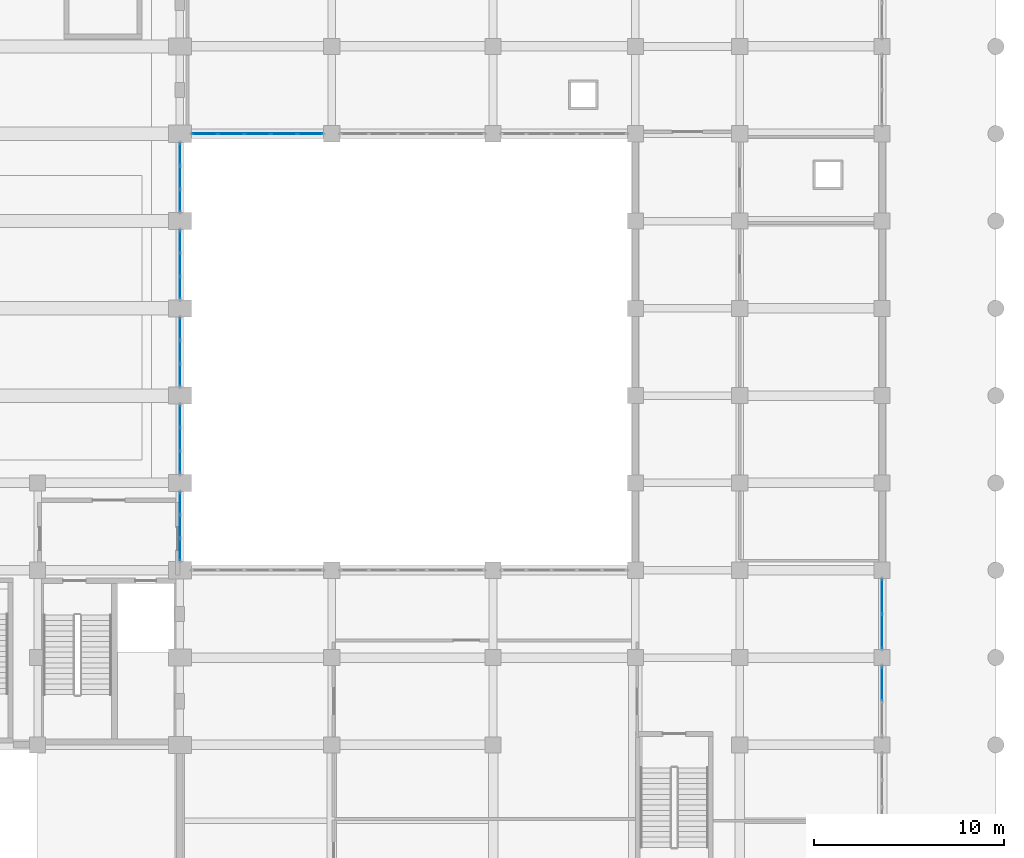
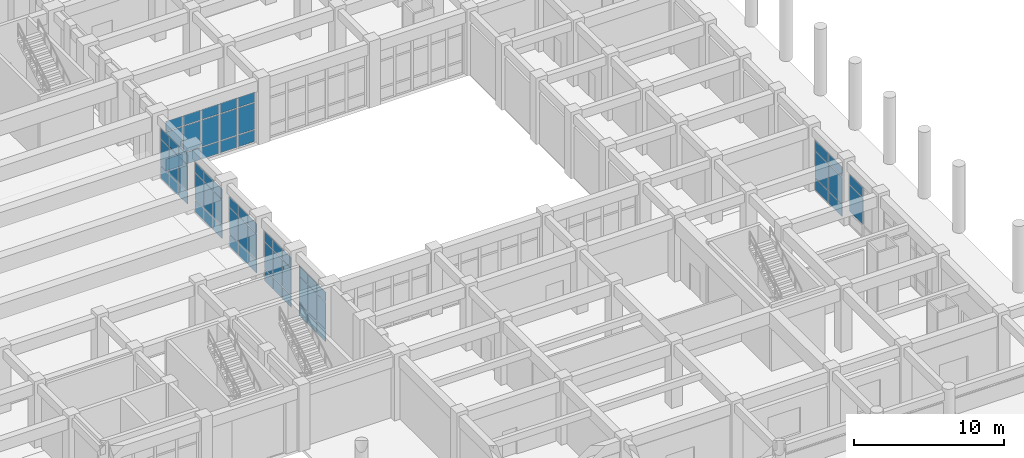
# One storey, part 58 of 84: 68 plates, 8 elements without a shape of their own.
"""IFC4 building model written with IfcOpenShell, lengths in metres."""

from ifc_helpers import new_model, si_unit, direction, frame, origin, origin_2d, place, context, subcontext, project, spatial, rectangle, extrude, material, layer, layer_set, type_object, element, aggregate, save


model = new_model("IFC4")

# Units and contexts
model_context = context("Model", 3, precision=1e-05, world=origin(), true_north=direction((0.0, 1.0)))
body_context = subcontext(model_context, "Body", "Model", "MODEL_VIEW")
ifc_project = project(units=[si_unit("LENGTHUNIT", "METRE"), si_unit("AREAUNIT", "SQUARE_METRE"), si_unit("VOLUMEUNIT", "CUBIC_METRE"), si_unit("PLANEANGLEUNIT", "RADIAN"), si_unit("MASSUNIT", "GRAM", prefix="KILO")], contexts=[model_context])

# Site, building, storey
site_placement = place(None, origin())
site = spatial("IfcSite", under=ifc_project, at=site_placement, CompositionType="ELEMENT")
building_placement = place(site_placement, origin())
building = spatial("IfcBuilding", under=site, at=building_placement, Name="Muzn Square Opera House", CompositionType="ELEMENT")
storey_placement = place(building_placement, origin())
storey = spatial("IfcBuildingStorey", under=building, at=storey_placement, Name="L00", CompositionType="ELEMENT", Elevation=0.0)

# Curtain wall, plates
ifc_material = material(Name="Low-E laminated acoustic double glazing", Category="glass")
ifc_layer_1 = layer(ifc_material, 0.159912109375, Name="Low-E laminated acoustic double glazing", Category="glass")
ifc_layer_set_1 = layer_set([ifc_layer_1], Name="Low-E laminated acoustic double glazing")
curtain_wall_type_1 = type_object("IfcCurtainWallType", Name="Glazed Curtain Wall EastVaultCourt 3700x4150", PredefinedType="USERDEFINED", material=ifc_layer_set_1)
curtain_wall_1_placement = place(storey_placement, origin())
curtain_wall_1 = element("IfcCurtainWall", 1, at=curtain_wall_1_placement, inside=storey, type_object=curtain_wall_type_1, Name="Glazed Curtain Wall CW-L00-030", ObjectType="GLAZED CURTAIN WALL", PredefinedType="USERDEFINED")
ifc_layer_2 = layer(ifc_material, 0.035888671875, Name="Low-E laminated acoustic double glazing", Category="glass")
ifc_layer_set_2 = layer_set([ifc_layer_2], Name="Low-E laminated acoustic double glazing")
plate_type = type_object("IfcPlateType", Name="Curtain Wall Solar Glazed Panel 36mm", PredefinedType="CURTAIN_PANEL", material=ifc_layer_set_2)
plate_1_placement = place(storey_placement, frame((133.0, 32.2841796875, 0.06982421875), z_axis=(0.0, 0.0, 1.0), x_axis=(0.0, 1.0, 0.0)))
plate_1 = element("IfcPlate", 2, at=plate_1_placement, type_object=plate_type, Name="CW-EVC-37x41 panel 1.1", PredefinedType="CURTAIN_PANEL", context=body_context, shape_type="SweptSolid", body=[
    extrude(rectangle(XDim=1.12841796875, YDim=0.035888671875, at=origin_2d()), origin(), (0.0, 0.0, 1.0), 0.945068359375),
])
plate_2_placement = place(storey_placement, frame((133.0, 32.2841796875, 1.0849609375), z_axis=(0.0, 0.0, 1.0), x_axis=(0.0, 1.0, 0.0)))
plate_2 = element("IfcPlate", 3, at=plate_2_placement, type_object=plate_type, Name="CW-EVC-37x41 panel 1.2", PredefinedType="CURTAIN_PANEL", context=body_context, shape_type="SweptSolid", body=[
    extrude(rectangle(XDim=1.12841796875, YDim=0.035888671875, at=origin_2d()), origin(), (0.0, 0.0, 1.0), 2.1298828125),
])
plate_3_placement = place(storey_placement, frame((133.0, 32.2841796875, 3.28515625), z_axis=(0.0, 0.0, 1.0), x_axis=(0.0, 1.0, 0.0)))
plate_3 = element("IfcPlate", 4, at=plate_3_placement, type_object=plate_type, Name="CW-EVC-37x41 panel 1.3", PredefinedType="CURTAIN_PANEL", context=body_context, shape_type="SweptSolid", body=[
    extrude(rectangle(XDim=1.12841796875, YDim=0.035888671875, at=origin_2d()), origin(), (0.0, 0.0, 1.0), 0.794921875),
])
plate_4_placement = place(storey_placement, frame((133.0, 33.5, 0.06982421875), z_axis=(0.0, 0.0, 1.0), x_axis=(0.0, 1.0, 0.0)))
plate_4 = element("IfcPlate", 5, at=plate_4_placement, type_object=plate_type, Name="CW-EVC-37x41 panel 2.1", PredefinedType="CURTAIN_PANEL", context=body_context, shape_type="SweptSolid", body=[
    extrude(rectangle(XDim=1.163330078125, YDim=0.035888671875, at=origin_2d()), origin(), (0.0, 0.0, 1.0), 0.945068359375),
])
plate_5_placement = place(storey_placement, frame((133.0, 33.5, 1.0849609375), z_axis=(0.0, 0.0, 1.0), x_axis=(0.0, 1.0, 0.0)))
plate_5 = element("IfcPlate", 6, at=plate_5_placement, type_object=plate_type, Name="CW-EVC-37x41 panel 2.2", PredefinedType="CURTAIN_PANEL", context=body_context, shape_type="SweptSolid", body=[
    extrude(rectangle(XDim=1.163330078125, YDim=0.035888671875, at=origin_2d()), origin(), (0.0, 0.0, 1.0), 2.1298828125),
])
plate_6_placement = place(storey_placement, frame((133.0, 33.5, 3.28515625), z_axis=(0.0, 0.0, 1.0), x_axis=(0.0, 1.0, 0.0)))
plate_6 = element("IfcPlate", 7, at=plate_6_placement, type_object=plate_type, Name="CW-EVC-37x41 panel 2.3", PredefinedType="CURTAIN_PANEL", context=body_context, shape_type="SweptSolid", body=[
    extrude(rectangle(XDim=1.163330078125, YDim=0.035888671875, at=origin_2d()), origin(), (0.0, 0.0, 1.0), 0.794921875),
])
plate_7_placement = place(storey_placement, frame((133.0, 34.7158203125, 0.06982421875), z_axis=(0.0, 0.0, 1.0), x_axis=(0.0, 1.0, 0.0)))
plate_7 = element("IfcPlate", 8, at=plate_7_placement, type_object=plate_type, Name="CW-EVC-37x41 panel 3.1", PredefinedType="CURTAIN_PANEL", context=body_context, shape_type="SweptSolid", body=[
    extrude(rectangle(XDim=1.12841796875, YDim=0.035888671875, at=origin_2d()), origin(), (0.0, 0.0, 1.0), 0.945068359375),
])
plate_8_placement = place(storey_placement, frame((133.0, 34.7158203125, 1.0849609375), z_axis=(0.0, 0.0, 1.0), x_axis=(0.0, 1.0, 0.0)))
plate_8 = element("IfcPlate", 9, at=plate_8_placement, type_object=plate_type, Name="CW-EVC-37x41 panel 3.2", PredefinedType="CURTAIN_PANEL", context=body_context, shape_type="SweptSolid", body=[
    extrude(rectangle(XDim=1.12841796875, YDim=0.035888671875, at=origin_2d()), origin(), (0.0, 0.0, 1.0), 2.1298828125),
])
plate_9_placement = place(storey_placement, frame((133.0, 34.7158203125, 3.28515625), z_axis=(0.0, 0.0, 1.0), x_axis=(0.0, 1.0, 0.0)))
plate_9 = element("IfcPlate", 10, at=plate_9_placement, type_object=plate_type, Name="CW-EVC-37x41 panel 3.3", PredefinedType="CURTAIN_PANEL", context=body_context, shape_type="SweptSolid", body=[
    extrude(rectangle(XDim=1.12841796875, YDim=0.035888671875, at=origin_2d()), origin(), (0.0, 0.0, 1.0), 0.794921875),
])
aggregate(curtain_wall_1, [plate_1, plate_2, plate_3, plate_4, plate_5, plate_6, plate_7, plate_8, plate_9])

curtain_wall_2_placement = place(storey_placement, origin())
curtain_wall_2 = element("IfcCurtainWall", 11, at=curtain_wall_2_placement, inside=storey, type_object=curtain_wall_type_1, Name="Glazed Curtain Wall CW-L00-032", ObjectType="GLAZED CURTAIN WALL", PredefinedType="USERDEFINED")
plate_10_placement = place(storey_placement, frame((133.0, 36.88427734375, 0.06982421875), z_axis=(0.0, 0.0, 1.0), x_axis=(0.0, 1.0, 0.0)))
plate_10 = element("IfcPlate", 12, at=plate_10_placement, type_object=plate_type, Name="CW-EVC-37x41 panel 1.1", PredefinedType="CURTAIN_PANEL", context=body_context, shape_type="SweptSolid", body=[
    extrude(rectangle(XDim=1.12841796875, YDim=0.035888671875, at=origin_2d()), origin(), (0.0, 0.0, 1.0), 0.945068359375),
])
plate_11_placement = place(storey_placement, frame((133.0, 36.88427734375, 1.0849609375), z_axis=(0.0, 0.0, 1.0), x_axis=(0.0, 1.0, 0.0)))
plate_11 = element("IfcPlate", 13, at=plate_11_placement, type_object=plate_type, Name="CW-EVC-37x41 panel 1.2", PredefinedType="CURTAIN_PANEL", context=body_context, shape_type="SweptSolid", body=[
    extrude(rectangle(XDim=1.12841796875, YDim=0.035888671875, at=origin_2d()), origin(), (0.0, 0.0, 1.0), 2.1298828125),
])
plate_12_placement = place(storey_placement, frame((133.0, 36.88427734375, 3.28515625), z_axis=(0.0, 0.0, 1.0), x_axis=(0.0, 1.0, 0.0)))
plate_12 = element("IfcPlate", 14, at=plate_12_placement, type_object=plate_type, Name="CW-EVC-37x41 panel 1.3", PredefinedType="CURTAIN_PANEL", context=body_context, shape_type="SweptSolid", body=[
    extrude(rectangle(XDim=1.12841796875, YDim=0.035888671875, at=origin_2d()), origin(), (0.0, 0.0, 1.0), 0.794921875),
])
plate_13_placement = place(storey_placement, frame((133.0, 38.10009765625, 0.06982421875), z_axis=(0.0, 0.0, 1.0), x_axis=(0.0, 1.0, 0.0)))
plate_13 = element("IfcPlate", 15, at=plate_13_placement, type_object=plate_type, Name="CW-EVC-37x41 panel 2.1", PredefinedType="CURTAIN_PANEL", context=body_context, shape_type="SweptSolid", body=[
    extrude(rectangle(XDim=1.163330078125, YDim=0.035888671875, at=origin_2d()), origin(), (0.0, 0.0, 1.0), 0.945068359375),
])
plate_14_placement = place(storey_placement, frame((133.0, 38.10009765625, 1.0849609375), z_axis=(0.0, 0.0, 1.0), x_axis=(0.0, 1.0, 0.0)))
plate_14 = element("IfcPlate", 16, at=plate_14_placement, type_object=plate_type, Name="CW-EVC-37x41 panel 2.2", PredefinedType="CURTAIN_PANEL", context=body_context, shape_type="SweptSolid", body=[
    extrude(rectangle(XDim=1.163330078125, YDim=0.035888671875, at=origin_2d()), origin(), (0.0, 0.0, 1.0), 2.1298828125),
])
plate_15_placement = place(storey_placement, frame((133.0, 38.10009765625, 3.28515625), z_axis=(0.0, 0.0, 1.0), x_axis=(0.0, 1.0, 0.0)))
plate_15 = element("IfcPlate", 17, at=plate_15_placement, type_object=plate_type, Name="CW-EVC-37x41 panel 2.3", PredefinedType="CURTAIN_PANEL", context=body_context, shape_type="SweptSolid", body=[
    extrude(rectangle(XDim=1.163330078125, YDim=0.035888671875, at=origin_2d()), origin(), (0.0, 0.0, 1.0), 0.794921875),
])
plate_16_placement = place(storey_placement, frame((133.0, 39.31591796875, 0.06982421875), z_axis=(0.0, 0.0, 1.0), x_axis=(0.0, 1.0, 0.0)))
plate_16 = element("IfcPlate", 18, at=plate_16_placement, type_object=plate_type, Name="CW-EVC-37x41 panel 3.1", PredefinedType="CURTAIN_PANEL", context=body_context, shape_type="SweptSolid", body=[
    extrude(rectangle(XDim=1.12841796875, YDim=0.035888671875, at=origin_2d()), origin(), (0.0, 0.0, 1.0), 0.945068359375),
])
plate_17_placement = place(storey_placement, frame((133.0, 39.31591796875, 1.0849609375), z_axis=(0.0, 0.0, 1.0), x_axis=(0.0, 1.0, 0.0)))
plate_17 = element("IfcPlate", 19, at=plate_17_placement, type_object=plate_type, Name="CW-EVC-37x41 panel 3.2", PredefinedType="CURTAIN_PANEL", context=body_context, shape_type="SweptSolid", body=[
    extrude(rectangle(XDim=1.12841796875, YDim=0.035888671875, at=origin_2d()), origin(), (0.0, 0.0, 1.0), 2.1298828125),
])
plate_18_placement = place(storey_placement, frame((133.0, 39.31591796875, 3.28515625), z_axis=(0.0, 0.0, 1.0), x_axis=(0.0, 1.0, 0.0)))
plate_18 = element("IfcPlate", 20, at=plate_18_placement, type_object=plate_type, Name="CW-EVC-37x41 panel 3.3", PredefinedType="CURTAIN_PANEL", context=body_context, shape_type="SweptSolid", body=[
    extrude(rectangle(XDim=1.12841796875, YDim=0.035888671875, at=origin_2d()), origin(), (0.0, 0.0, 1.0), 0.794921875),
])
aggregate(curtain_wall_2, [plate_10, plate_11, plate_12, plate_13, plate_14, plate_15, plate_16, plate_17, plate_18])

curtain_wall_3_placement = place(storey_placement, origin())
curtain_wall_3 = element("IfcCurtainWall", 21, at=curtain_wall_3_placement, inside=storey, type_object=curtain_wall_type_1, Name="Glazed Curtain Wall CW-L00-034", ObjectType="GLAZED CURTAIN WALL", PredefinedType="USERDEFINED")
plate_19_placement = place(storey_placement, frame((133.0, 41.484130859375, 0.06982421875), z_axis=(0.0, 0.0, 1.0), x_axis=(0.0, 1.0, 0.0)))
plate_19 = element("IfcPlate", 22, at=plate_19_placement, type_object=plate_type, Name="CW-EVC-37x41 panel 1.1", PredefinedType="CURTAIN_PANEL", context=body_context, shape_type="SweptSolid", body=[
    extrude(rectangle(XDim=1.12841796875, YDim=0.035888671875, at=origin_2d()), origin(), (0.0, 0.0, 1.0), 0.945068359375),
])
plate_20_placement = place(storey_placement, frame((133.0, 41.484130859375, 1.0849609375), z_axis=(0.0, 0.0, 1.0), x_axis=(0.0, 1.0, 0.0)))
plate_20 = element("IfcPlate", 23, at=plate_20_placement, type_object=plate_type, Name="CW-EVC-37x41 panel 1.2", PredefinedType="CURTAIN_PANEL", context=body_context, shape_type="SweptSolid", body=[
    extrude(rectangle(XDim=1.12841796875, YDim=0.035888671875, at=origin_2d()), origin(), (0.0, 0.0, 1.0), 2.1298828125),
])
plate_21_placement = place(storey_placement, frame((133.0, 41.484130859375, 3.28515625), z_axis=(0.0, 0.0, 1.0), x_axis=(0.0, 1.0, 0.0)))
plate_21 = element("IfcPlate", 24, at=plate_21_placement, type_object=plate_type, Name="CW-EVC-37x41 panel 1.3", PredefinedType="CURTAIN_PANEL", context=body_context, shape_type="SweptSolid", body=[
    extrude(rectangle(XDim=1.12841796875, YDim=0.035888671875, at=origin_2d()), origin(), (0.0, 0.0, 1.0), 0.794921875),
])
plate_22_placement = place(storey_placement, frame((133.0, 42.699951171875, 0.06982421875), z_axis=(0.0, 0.0, 1.0), x_axis=(0.0, 1.0, 0.0)))
plate_22 = element("IfcPlate", 25, at=plate_22_placement, type_object=plate_type, Name="CW-EVC-37x41 panel 2.1", PredefinedType="CURTAIN_PANEL", context=body_context, shape_type="SweptSolid", body=[
    extrude(rectangle(XDim=1.163330078125, YDim=0.035888671875, at=origin_2d()), origin(), (0.0, 0.0, 1.0), 0.945068359375),
])
plate_23_placement = place(storey_placement, frame((133.0, 42.699951171875, 1.0849609375), z_axis=(0.0, 0.0, 1.0), x_axis=(0.0, 1.0, 0.0)))
plate_23 = element("IfcPlate", 26, at=plate_23_placement, type_object=plate_type, Name="CW-EVC-37x41 panel 2.2", PredefinedType="CURTAIN_PANEL", context=body_context, shape_type="SweptSolid", body=[
    extrude(rectangle(XDim=1.163330078125, YDim=0.035888671875, at=origin_2d()), origin(), (0.0, 0.0, 1.0), 2.1298828125),
])
plate_24_placement = place(storey_placement, frame((133.0, 42.699951171875, 3.28515625), z_axis=(0.0, 0.0, 1.0), x_axis=(0.0, 1.0, 0.0)))
plate_24 = element("IfcPlate", 27, at=plate_24_placement, type_object=plate_type, Name="CW-EVC-37x41 panel 2.3", PredefinedType="CURTAIN_PANEL", context=body_context, shape_type="SweptSolid", body=[
    extrude(rectangle(XDim=1.163330078125, YDim=0.035888671875, at=origin_2d()), origin(), (0.0, 0.0, 1.0), 0.794921875),
])
plate_25_placement = place(storey_placement, frame((133.0, 43.915771484375, 0.06982421875), z_axis=(0.0, 0.0, 1.0), x_axis=(0.0, 1.0, 0.0)))
plate_25 = element("IfcPlate", 28, at=plate_25_placement, type_object=plate_type, Name="CW-EVC-37x41 panel 3.1", PredefinedType="CURTAIN_PANEL", context=body_context, shape_type="SweptSolid", body=[
    extrude(rectangle(XDim=1.12841796875, YDim=0.035888671875, at=origin_2d()), origin(), (0.0, 0.0, 1.0), 0.945068359375),
])
plate_26_placement = place(storey_placement, frame((133.0, 43.915771484375, 1.0849609375), z_axis=(0.0, 0.0, 1.0), x_axis=(0.0, 1.0, 0.0)))
plate_26 = element("IfcPlate", 29, at=plate_26_placement, type_object=plate_type, Name="CW-EVC-37x41 panel 3.2", PredefinedType="CURTAIN_PANEL", context=body_context, shape_type="SweptSolid", body=[
    extrude(rectangle(XDim=1.12841796875, YDim=0.035888671875, at=origin_2d()), origin(), (0.0, 0.0, 1.0), 2.1298828125),
])
plate_27_placement = place(storey_placement, frame((133.0, 43.915771484375, 3.28515625), z_axis=(0.0, 0.0, 1.0), x_axis=(0.0, 1.0, 0.0)))
plate_27 = element("IfcPlate", 30, at=plate_27_placement, type_object=plate_type, Name="CW-EVC-37x41 panel 3.3", PredefinedType="CURTAIN_PANEL", context=body_context, shape_type="SweptSolid", body=[
    extrude(rectangle(XDim=1.12841796875, YDim=0.035888671875, at=origin_2d()), origin(), (0.0, 0.0, 1.0), 0.794921875),
])
aggregate(curtain_wall_3, [plate_19, plate_20, plate_21, plate_22, plate_23, plate_24, plate_25, plate_26, plate_27])

curtain_wall_4_placement = place(storey_placement, origin())
curtain_wall_4 = element("IfcCurtainWall", 31, at=curtain_wall_4_placement, inside=storey, type_object=curtain_wall_type_1, Name="Glazed Curtain Wall CW-L00-036", ObjectType="GLAZED CURTAIN WALL", PredefinedType="USERDEFINED")
plate_28_placement = place(storey_placement, frame((133.0, 46.084228515625, 0.06982421875), z_axis=(0.0, 0.0, 1.0), x_axis=(0.0, 1.0, 0.0)))
plate_28 = element("IfcPlate", 32, at=plate_28_placement, type_object=plate_type, Name="CW-EVC-37x41 panel 1.1", PredefinedType="CURTAIN_PANEL", context=body_context, shape_type="SweptSolid", body=[
    extrude(rectangle(XDim=1.12841796875, YDim=0.035888671875, at=origin_2d()), origin(), (0.0, 0.0, 1.0), 0.945068359375),
])
plate_29_placement = place(storey_placement, frame((133.0, 46.084228515625, 1.0849609375), z_axis=(0.0, 0.0, 1.0), x_axis=(0.0, 1.0, 0.0)))
plate_29 = element("IfcPlate", 33, at=plate_29_placement, type_object=plate_type, Name="CW-EVC-37x41 panel 1.2", PredefinedType="CURTAIN_PANEL", context=body_context, shape_type="SweptSolid", body=[
    extrude(rectangle(XDim=1.12841796875, YDim=0.035888671875, at=origin_2d()), origin(), (0.0, 0.0, 1.0), 2.1298828125),
])
plate_30_placement = place(storey_placement, frame((133.0, 46.084228515625, 3.28515625), z_axis=(0.0, 0.0, 1.0), x_axis=(0.0, 1.0, 0.0)))
plate_30 = element("IfcPlate", 34, at=plate_30_placement, type_object=plate_type, Name="CW-EVC-37x41 panel 1.3", PredefinedType="CURTAIN_PANEL", context=body_context, shape_type="SweptSolid", body=[
    extrude(rectangle(XDim=1.12841796875, YDim=0.035888671875, at=origin_2d()), origin(), (0.0, 0.0, 1.0), 0.794921875),
])
plate_31_placement = place(storey_placement, frame((133.0, 47.300048828125, 0.06982421875), z_axis=(0.0, 0.0, 1.0), x_axis=(0.0, 1.0, 0.0)))
plate_31 = element("IfcPlate", 35, at=plate_31_placement, type_object=plate_type, Name="CW-EVC-37x41 panel 2.1", PredefinedType="CURTAIN_PANEL", context=body_context, shape_type="SweptSolid", body=[
    extrude(rectangle(XDim=1.163330078125, YDim=0.035888671875, at=origin_2d()), origin(), (0.0, 0.0, 1.0), 0.945068359375),
])
plate_32_placement = place(storey_placement, frame((133.0, 47.300048828125, 1.0849609375), z_axis=(0.0, 0.0, 1.0), x_axis=(0.0, 1.0, 0.0)))
plate_32 = element("IfcPlate", 36, at=plate_32_placement, type_object=plate_type, Name="CW-EVC-37x41 panel 2.2", PredefinedType="CURTAIN_PANEL", context=body_context, shape_type="SweptSolid", body=[
    extrude(rectangle(XDim=1.163330078125, YDim=0.035888671875, at=origin_2d()), origin(), (0.0, 0.0, 1.0), 2.1298828125),
])
plate_33_placement = place(storey_placement, frame((133.0, 47.300048828125, 3.28515625), z_axis=(0.0, 0.0, 1.0), x_axis=(0.0, 1.0, 0.0)))
plate_33 = element("IfcPlate", 37, at=plate_33_placement, type_object=plate_type, Name="CW-EVC-37x41 panel 2.3", PredefinedType="CURTAIN_PANEL", context=body_context, shape_type="SweptSolid", body=[
    extrude(rectangle(XDim=1.163330078125, YDim=0.035888671875, at=origin_2d()), origin(), (0.0, 0.0, 1.0), 0.794921875),
])
plate_34_placement = place(storey_placement, frame((133.0, 48.515869140625, 0.06982421875), z_axis=(0.0, 0.0, 1.0), x_axis=(0.0, 1.0, 0.0)))
plate_34 = element("IfcPlate", 38, at=plate_34_placement, type_object=plate_type, Name="CW-EVC-37x41 panel 3.1", PredefinedType="CURTAIN_PANEL", context=body_context, shape_type="SweptSolid", body=[
    extrude(rectangle(XDim=1.12841796875, YDim=0.035888671875, at=origin_2d()), origin(), (0.0, 0.0, 1.0), 0.945068359375),
])
plate_35_placement = place(storey_placement, frame((133.0, 48.515869140625, 1.0849609375), z_axis=(0.0, 0.0, 1.0), x_axis=(0.0, 1.0, 0.0)))
plate_35 = element("IfcPlate", 39, at=plate_35_placement, type_object=plate_type, Name="CW-EVC-37x41 panel 3.2", PredefinedType="CURTAIN_PANEL", context=body_context, shape_type="SweptSolid", body=[
    extrude(rectangle(XDim=1.12841796875, YDim=0.035888671875, at=origin_2d()), origin(), (0.0, 0.0, 1.0), 2.1298828125),
])
plate_36_placement = place(storey_placement, frame((133.0, 48.515869140625, 3.28515625), z_axis=(0.0, 0.0, 1.0), x_axis=(0.0, 1.0, 0.0)))
plate_36 = element("IfcPlate", 40, at=plate_36_placement, type_object=plate_type, Name="CW-EVC-37x41 panel 3.3", PredefinedType="CURTAIN_PANEL", context=body_context, shape_type="SweptSolid", body=[
    extrude(rectangle(XDim=1.12841796875, YDim=0.035888671875, at=origin_2d()), origin(), (0.0, 0.0, 1.0), 0.794921875),
])
aggregate(curtain_wall_4, [plate_28, plate_29, plate_30, plate_31, plate_32, plate_33, plate_34, plate_35, plate_36])

curtain_wall_5_placement = place(storey_placement, origin())
curtain_wall_5 = element("IfcCurtainWall", 41, at=curtain_wall_5_placement, inside=storey, type_object=curtain_wall_type_1, Name="Glazed Curtain Wall CW-L00-038", ObjectType="GLAZED CURTAIN WALL", PredefinedType="USERDEFINED")
plate_37_placement = place(storey_placement, frame((133.0, 50.68408203125, 0.06982421875), z_axis=(0.0, 0.0, 1.0), x_axis=(0.0, 1.0, 0.0)))
plate_37 = element("IfcPlate", 42, at=plate_37_placement, type_object=plate_type, Name="CW-EVC-37x41 panel 1.1", PredefinedType="CURTAIN_PANEL", context=body_context, shape_type="SweptSolid", body=[
    extrude(rectangle(XDim=1.12841796875, YDim=0.035888671875, at=origin_2d()), origin(), (0.0, 0.0, 1.0), 0.945068359375),
])
plate_38_placement = place(storey_placement, frame((133.0, 50.68408203125, 1.0849609375), z_axis=(0.0, 0.0, 1.0), x_axis=(0.0, 1.0, 0.0)))
plate_38 = element("IfcPlate", 43, at=plate_38_placement, type_object=plate_type, Name="CW-EVC-37x41 panel 1.2", PredefinedType="CURTAIN_PANEL", context=body_context, shape_type="SweptSolid", body=[
    extrude(rectangle(XDim=1.12841796875, YDim=0.035888671875, at=origin_2d()), origin(), (0.0, 0.0, 1.0), 2.1298828125),
])
plate_39_placement = place(storey_placement, frame((133.0, 50.68408203125, 3.28515625), z_axis=(0.0, 0.0, 1.0), x_axis=(0.0, 1.0, 0.0)))
plate_39 = element("IfcPlate", 44, at=plate_39_placement, type_object=plate_type, Name="CW-EVC-37x41 panel 1.3", PredefinedType="CURTAIN_PANEL", context=body_context, shape_type="SweptSolid", body=[
    extrude(rectangle(XDim=1.12841796875, YDim=0.035888671875, at=origin_2d()), origin(), (0.0, 0.0, 1.0), 0.794921875),
])
plate_40_placement = place(storey_placement, frame((133.0, 51.89990234375, 0.06982421875), z_axis=(0.0, 0.0, 1.0), x_axis=(0.0, 1.0, 0.0)))
plate_40 = element("IfcPlate", 45, at=plate_40_placement, type_object=plate_type, Name="CW-EVC-37x41 panel 2.1", PredefinedType="CURTAIN_PANEL", context=body_context, shape_type="SweptSolid", body=[
    extrude(rectangle(XDim=1.163330078125, YDim=0.035888671875, at=origin_2d()), origin(), (0.0, 0.0, 1.0), 0.945068359375),
])
plate_41_placement = place(storey_placement, frame((133.0, 51.89990234375, 1.0849609375), z_axis=(0.0, 0.0, 1.0), x_axis=(0.0, 1.0, 0.0)))
plate_41 = element("IfcPlate", 46, at=plate_41_placement, type_object=plate_type, Name="CW-EVC-37x41 panel 2.2", PredefinedType="CURTAIN_PANEL", context=body_context, shape_type="SweptSolid", body=[
    extrude(rectangle(XDim=1.163330078125, YDim=0.035888671875, at=origin_2d()), origin(), (0.0, 0.0, 1.0), 2.1298828125),
])
plate_42_placement = place(storey_placement, frame((133.0, 51.89990234375, 3.28515625), z_axis=(0.0, 0.0, 1.0), x_axis=(0.0, 1.0, 0.0)))
plate_42 = element("IfcPlate", 47, at=plate_42_placement, type_object=plate_type, Name="CW-EVC-37x41 panel 2.3", PredefinedType="CURTAIN_PANEL", context=body_context, shape_type="SweptSolid", body=[
    extrude(rectangle(XDim=1.163330078125, YDim=0.035888671875, at=origin_2d()), origin(), (0.0, 0.0, 1.0), 0.794921875),
])
plate_43_placement = place(storey_placement, frame((133.0, 53.11572265625, 0.06982421875), z_axis=(0.0, 0.0, 1.0), x_axis=(0.0, 1.0, 0.0)))
plate_43 = element("IfcPlate", 48, at=plate_43_placement, type_object=plate_type, Name="CW-EVC-37x41 panel 3.1", PredefinedType="CURTAIN_PANEL", context=body_context, shape_type="SweptSolid", body=[
    extrude(rectangle(XDim=1.12841796875, YDim=0.035888671875, at=origin_2d()), origin(), (0.0, 0.0, 1.0), 0.945068359375),
])
plate_44_placement = place(storey_placement, frame((133.0, 53.11572265625, 1.0849609375), z_axis=(0.0, 0.0, 1.0), x_axis=(0.0, 1.0, 0.0)))
plate_44 = element("IfcPlate", 49, at=plate_44_placement, type_object=plate_type, Name="CW-EVC-37x41 panel 3.2", PredefinedType="CURTAIN_PANEL", context=body_context, shape_type="SweptSolid", body=[
    extrude(rectangle(XDim=1.12841796875, YDim=0.035888671875, at=origin_2d()), origin(), (0.0, 0.0, 1.0), 2.1298828125),
])
plate_45_placement = place(storey_placement, frame((133.0, 53.11572265625, 3.28515625), z_axis=(0.0, 0.0, 1.0), x_axis=(0.0, 1.0, 0.0)))
plate_45 = element("IfcPlate", 50, at=plate_45_placement, type_object=plate_type, Name="CW-EVC-37x41 panel 3.3", PredefinedType="CURTAIN_PANEL", context=body_context, shape_type="SweptSolid", body=[
    extrude(rectangle(XDim=1.12841796875, YDim=0.035888671875, at=origin_2d()), origin(), (0.0, 0.0, 1.0), 0.794921875),
])
aggregate(curtain_wall_5, [plate_37, plate_38, plate_39, plate_40, plate_41, plate_42, plate_43, plate_44, plate_45])

ifc_layer_3 = layer(ifc_material, 0.159912109375, Name="Low-E laminated acoustic double glazing", Category="glass")
ifc_layer_set_3 = layer_set([ifc_layer_3], Name="Low-E laminated acoustic double glazing")
curtain_wall_type_2 = type_object("IfcCurtainWallType", Name="Glazed Curtain Wall EastCloisterN 6975x4150", PredefinedType="USERDEFINED", material=ifc_layer_set_3)
curtain_wall_6_placement = place(storey_placement, origin())
curtain_wall_6 = element("IfcCurtainWall", 51, at=curtain_wall_6_placement, inside=storey, type_object=curtain_wall_type_2, Name="Glazed Curtain Wall CW-L00-076", ObjectType="GLAZED CURTAIN WALL", PredefinedType="USERDEFINED")
plate_46_placement = place(storey_placement, frame((134.31494140625, 54.199951171875, 0.06982421875), z_axis=(0.0, 0.0, 1.0), x_axis=(1.0, 0.0, 0.0)))
plate_46 = element("IfcPlate", 52, at=plate_46_placement, type_object=plate_type, Name="CW-ECN-69x41 panel 1.1", PredefinedType="CURTAIN_PANEL", context=body_context, shape_type="SweptSolid", body=[
    extrude(rectangle(XDim=1.2900390625, YDim=0.035888671875, at=origin_2d()), origin(), (0.0, 0.0, 1.0), 0.945068359375),
])
plate_47_placement = place(storey_placement, frame((134.31494140625, 54.199951171875, 1.0849609375), z_axis=(0.0, 0.0, 1.0), x_axis=(1.0, 0.0, 0.0)))
plate_47 = element("IfcPlate", 53, at=plate_47_placement, type_object=plate_type, Name="CW-ECN-69x41 panel 1.2", PredefinedType="CURTAIN_PANEL", context=body_context, shape_type="SweptSolid", body=[
    extrude(rectangle(XDim=1.2900390625, YDim=0.035888671875, at=origin_2d()), origin(), (0.0, 0.0, 1.0), 2.1298828125),
])
plate_48_placement = place(storey_placement, frame((134.31494140625, 54.199951171875, 3.28515625), z_axis=(0.0, 0.0, 1.0), x_axis=(1.0, 0.0, 0.0)))
plate_48 = element("IfcPlate", 54, at=plate_48_placement, type_object=plate_type, Name="CW-ECN-69x41 panel 1.3", PredefinedType="CURTAIN_PANEL", context=body_context, shape_type="SweptSolid", body=[
    extrude(rectangle(XDim=1.2900390625, YDim=0.035888671875, at=origin_2d()), origin(), (0.0, 0.0, 1.0), 0.794921875),
])
plate_49_placement = place(storey_placement, frame((135.6923828125, 54.199951171875, 0.06982421875), z_axis=(0.0, 0.0, 1.0), x_axis=(1.0, 0.0, 0.0)))
plate_49 = element("IfcPlate", 55, at=plate_49_placement, type_object=plate_type, Name="CW-ECN-69x41 panel 2.1", PredefinedType="CURTAIN_PANEL", context=body_context, shape_type="SweptSolid", body=[
    extrude(rectangle(XDim=1.324951171875, YDim=0.035888671875, at=origin_2d()), origin(), (0.0, 0.0, 1.0), 0.945068359375),
])
plate_50_placement = place(storey_placement, frame((135.6923828125, 54.199951171875, 1.0849609375), z_axis=(0.0, 0.0, 1.0), x_axis=(1.0, 0.0, 0.0)))
plate_50 = element("IfcPlate", 56, at=plate_50_placement, type_object=plate_type, Name="CW-ECN-69x41 panel 2.2", PredefinedType="CURTAIN_PANEL", context=body_context, shape_type="SweptSolid", body=[
    extrude(rectangle(XDim=1.324951171875, YDim=0.035888671875, at=origin_2d()), origin(), (0.0, 0.0, 1.0), 2.1298828125),
])
plate_51_placement = place(storey_placement, frame((135.6923828125, 54.199951171875, 3.28515625), z_axis=(0.0, 0.0, 1.0), x_axis=(1.0, 0.0, 0.0)))
plate_51 = element("IfcPlate", 57, at=plate_51_placement, type_object=plate_type, Name="CW-ECN-69x41 panel 2.3", PredefinedType="CURTAIN_PANEL", context=body_context, shape_type="SweptSolid", body=[
    extrude(rectangle(XDim=1.324951171875, YDim=0.035888671875, at=origin_2d()), origin(), (0.0, 0.0, 1.0), 0.794921875),
])
plate_52_placement = place(storey_placement, frame((137.08740234375, 54.199951171875, 0.06982421875), z_axis=(0.0, 0.0, 1.0), x_axis=(1.0, 0.0, 0.0)))
plate_52 = element("IfcPlate", 58, at=plate_52_placement, type_object=plate_type, Name="CW-ECN-69x41 panel 3.1", PredefinedType="CURTAIN_PANEL", context=body_context, shape_type="SweptSolid", body=[
    extrude(rectangle(XDim=1.324951171875, YDim=0.035888671875, at=origin_2d()), origin(), (0.0, 0.0, 1.0), 0.945068359375),
])
plate_53_placement = place(storey_placement, frame((137.08740234375, 54.199951171875, 1.0849609375), z_axis=(0.0, 0.0, 1.0), x_axis=(1.0, 0.0, 0.0)))
plate_53 = element("IfcPlate", 59, at=plate_53_placement, type_object=plate_type, Name="CW-ECN-69x41 panel 3.2", PredefinedType="CURTAIN_PANEL", context=body_context, shape_type="SweptSolid", body=[
    extrude(rectangle(XDim=1.324951171875, YDim=0.035888671875, at=origin_2d()), origin(), (0.0, 0.0, 1.0), 2.1298828125),
])
plate_54_placement = place(storey_placement, frame((137.08740234375, 54.199951171875, 3.28515625), z_axis=(0.0, 0.0, 1.0), x_axis=(1.0, 0.0, 0.0)))
plate_54 = element("IfcPlate", 60, at=plate_54_placement, type_object=plate_type, Name="CW-ECN-69x41 panel 3.3", PredefinedType="CURTAIN_PANEL", context=body_context, shape_type="SweptSolid", body=[
    extrude(rectangle(XDim=1.324951171875, YDim=0.035888671875, at=origin_2d()), origin(), (0.0, 0.0, 1.0), 0.794921875),
])
plate_55_placement = place(storey_placement, frame((138.482421875, 54.199951171875, 0.06982421875), z_axis=(0.0, 0.0, 1.0), x_axis=(1.0, 0.0, 0.0)))
plate_55 = element("IfcPlate", 61, at=plate_55_placement, type_object=plate_type, Name="CW-ECN-69x41 panel 4.1", PredefinedType="CURTAIN_PANEL", context=body_context, shape_type="SweptSolid", body=[
    extrude(rectangle(XDim=1.324951171875, YDim=0.035888671875, at=origin_2d()), origin(), (0.0, 0.0, 1.0), 0.945068359375),
])
plate_56_placement = place(storey_placement, frame((138.482421875, 54.199951171875, 1.0849609375), z_axis=(0.0, 0.0, 1.0), x_axis=(1.0, 0.0, 0.0)))
plate_56 = element("IfcPlate", 62, at=plate_56_placement, type_object=plate_type, Name="CW-ECN-69x41 panel 4.2", PredefinedType="CURTAIN_PANEL", context=body_context, shape_type="SweptSolid", body=[
    extrude(rectangle(XDim=1.324951171875, YDim=0.035888671875, at=origin_2d()), origin(), (0.0, 0.0, 1.0), 2.1298828125),
])
plate_57_placement = place(storey_placement, frame((138.482421875, 54.199951171875, 3.28515625), z_axis=(0.0, 0.0, 1.0), x_axis=(1.0, 0.0, 0.0)))
plate_57 = element("IfcPlate", 63, at=plate_57_placement, type_object=plate_type, Name="CW-ECN-69x41 panel 4.3", PredefinedType="CURTAIN_PANEL", context=body_context, shape_type="SweptSolid", body=[
    extrude(rectangle(XDim=1.324951171875, YDim=0.035888671875, at=origin_2d()), origin(), (0.0, 0.0, 1.0), 0.794921875),
])
plate_58_placement = place(storey_placement, frame((139.860107421875, 54.199951171875, 0.06982421875), z_axis=(0.0, 0.0, 1.0), x_axis=(1.0, 0.0, 0.0)))
plate_58 = element("IfcPlate", 64, at=plate_58_placement, type_object=plate_type, Name="CW-ECN-69x41 panel 5.1", PredefinedType="CURTAIN_PANEL", context=body_context, shape_type="SweptSolid", body=[
    extrude(rectangle(XDim=1.2900390625, YDim=0.035888671875, at=origin_2d()), origin(), (0.0, 0.0, 1.0), 0.945068359375),
])
plate_59_placement = place(storey_placement, frame((139.860107421875, 54.199951171875, 1.0849609375), z_axis=(0.0, 0.0, 1.0), x_axis=(1.0, 0.0, 0.0)))
plate_59 = element("IfcPlate", 65, at=plate_59_placement, type_object=plate_type, Name="CW-ECN-69x41 panel 5.2", PredefinedType="CURTAIN_PANEL", context=body_context, shape_type="SweptSolid", body=[
    extrude(rectangle(XDim=1.2900390625, YDim=0.035888671875, at=origin_2d()), origin(), (0.0, 0.0, 1.0), 2.1298828125),
])
plate_60_placement = place(storey_placement, frame((139.860107421875, 54.199951171875, 3.28515625), z_axis=(0.0, 0.0, 1.0), x_axis=(1.0, 0.0, 0.0)))
plate_60 = element("IfcPlate", 66, at=plate_60_placement, type_object=plate_type, Name="CW-ECN-69x41 panel 5.3", PredefinedType="CURTAIN_PANEL", context=body_context, shape_type="SweptSolid", body=[
    extrude(rectangle(XDim=1.2900390625, YDim=0.035888671875, at=origin_2d()), origin(), (0.0, 0.0, 1.0), 0.794921875),
])
aggregate(curtain_wall_6, [plate_46, plate_47, plate_48, plate_49, plate_50, plate_51, plate_52, plate_53, plate_54, plate_55, plate_56, plate_57, plate_58, plate_59, plate_60])

ifc_layer_4 = layer(ifc_material, 0.159912109375, Name="Low-E laminated acoustic double glazing", Category="glass")
ifc_layer_set_4 = layer_set([ifc_layer_4], Name="Low-E laminated acoustic double glazing")
curtain_wall_type_3 = type_object("IfcCurtainWallType", Name="Glazed Curtain Wall EastBlvd 3750x4150", PredefinedType="USERDEFINED", material=ifc_layer_set_4)
curtain_wall_7_placement = place(storey_placement, origin())
curtain_wall_7 = element("IfcCurtainWall", 67, at=curtain_wall_7_placement, inside=storey, type_object=curtain_wall_type_3, Name="Glazed Curtain Wall CW-L00-106", ObjectType="GLAZED CURTAIN WALL", PredefinedType="USERDEFINED")
plate_61_placement = place(storey_placement, frame((170.0, 25.219970703125, 1.0849609375), z_axis=(0.0, 0.0, 1.0), x_axis=(0.0, 1.0, 0.0)))
plate_61 = element("IfcPlate", 68, at=plate_61_placement, type_object=plate_type, Name="CW-EBL-37x41 panel 2.2", PredefinedType="CURTAIN_PANEL", context=body_context, shape_type="SweptSolid", body=[
    extrude(rectangle(XDim=1.77001953125, YDim=0.035888671875, at=origin_2d()), origin(), (0.0, 0.0, 1.0), 2.1298828125),
])
plate_62_placement = place(storey_placement, frame((170.0, 25.219970703125, 3.28515625), z_axis=(0.0, 0.0, 1.0), x_axis=(0.0, 1.0, 0.0)))
plate_62 = element("IfcPlate", 69, at=plate_62_placement, type_object=plate_type, Name="CW-EBL-37x41 panel 2.3", PredefinedType="CURTAIN_PANEL", context=body_context, shape_type="SweptSolid", body=[
    extrude(rectangle(XDim=1.77001953125, YDim=0.035888671875, at=origin_2d()), origin(), (0.0, 0.0, 1.0), 0.794921875),
])
aggregate(curtain_wall_7, [plate_61, plate_62])

curtain_wall_8_placement = place(storey_placement, origin())
curtain_wall_8 = element("IfcCurtainWall", 70, at=curtain_wall_8_placement, inside=storey, type_object=curtain_wall_type_3, Name="Glazed Curtain Wall CW-L00-107", ObjectType="GLAZED CURTAIN WALL", PredefinedType="USERDEFINED")
plate_63_placement = place(storey_placement, frame((170.0, 27.97998046875, 0.06982421875), z_axis=(0.0, 0.0, 1.0), x_axis=(0.0, 1.0, 0.0)))
plate_63 = element("IfcPlate", 71, at=plate_63_placement, type_object=plate_type, Name="CW-EBL-37x41 panel 1.1", PredefinedType="CURTAIN_PANEL", context=body_context, shape_type="SweptSolid", body=[
    extrude(rectangle(XDim=1.77001953125, YDim=0.035888671875, at=origin_2d()), origin(), (0.0, 0.0, 1.0), 0.945068359375),
])
plate_64_placement = place(storey_placement, frame((170.0, 27.97998046875, 1.0849609375), z_axis=(0.0, 0.0, 1.0), x_axis=(0.0, 1.0, 0.0)))
plate_64 = element("IfcPlate", 72, at=plate_64_placement, type_object=plate_type, Name="CW-EBL-37x41 panel 1.2", PredefinedType="CURTAIN_PANEL", context=body_context, shape_type="SweptSolid", body=[
    extrude(rectangle(XDim=1.77001953125, YDim=0.035888671875, at=origin_2d()), origin(), (0.0, 0.0, 1.0), 2.1298828125),
])
plate_65_placement = place(storey_placement, frame((170.0, 27.97998046875, 3.28515625), z_axis=(0.0, 0.0, 1.0), x_axis=(0.0, 1.0, 0.0)))
plate_65 = element("IfcPlate", 73, at=plate_65_placement, type_object=plate_type, Name="CW-EBL-37x41 panel 1.3", PredefinedType="CURTAIN_PANEL", context=body_context, shape_type="SweptSolid", body=[
    extrude(rectangle(XDim=1.77001953125, YDim=0.035888671875, at=origin_2d()), origin(), (0.0, 0.0, 1.0), 0.794921875),
])
plate_66_placement = place(storey_placement, frame((170.0, 29.820068359375, 0.06982421875), z_axis=(0.0, 0.0, 1.0), x_axis=(0.0, 1.0, 0.0)))
plate_66 = element("IfcPlate", 74, at=plate_66_placement, type_object=plate_type, Name="CW-EBL-37x41 panel 2.1", PredefinedType="CURTAIN_PANEL", context=body_context, shape_type="SweptSolid", body=[
    extrude(rectangle(XDim=1.77001953125, YDim=0.035888671875, at=origin_2d()), origin(), (0.0, 0.0, 1.0), 0.945068359375),
])
plate_67_placement = place(storey_placement, frame((170.0, 29.820068359375, 1.0849609375), z_axis=(0.0, 0.0, 1.0), x_axis=(0.0, 1.0, 0.0)))
plate_67 = element("IfcPlate", 75, at=plate_67_placement, type_object=plate_type, Name="CW-EBL-37x41 panel 2.2", PredefinedType="CURTAIN_PANEL", context=body_context, shape_type="SweptSolid", body=[
    extrude(rectangle(XDim=1.77001953125, YDim=0.035888671875, at=origin_2d()), origin(), (0.0, 0.0, 1.0), 2.1298828125),
])
plate_68_placement = place(storey_placement, frame((170.0, 29.820068359375, 3.28515625), z_axis=(0.0, 0.0, 1.0), x_axis=(0.0, 1.0, 0.0)))
plate_68 = element("IfcPlate", 76, at=plate_68_placement, type_object=plate_type, Name="CW-EBL-37x41 panel 2.3", PredefinedType="CURTAIN_PANEL", context=body_context, shape_type="SweptSolid", body=[
    extrude(rectangle(XDim=1.77001953125, YDim=0.035888671875, at=origin_2d()), origin(), (0.0, 0.0, 1.0), 0.794921875),
])
aggregate(curtain_wall_8, [plate_63, plate_64, plate_65, plate_66, plate_67, plate_68])

save(model, "model.ifc")
